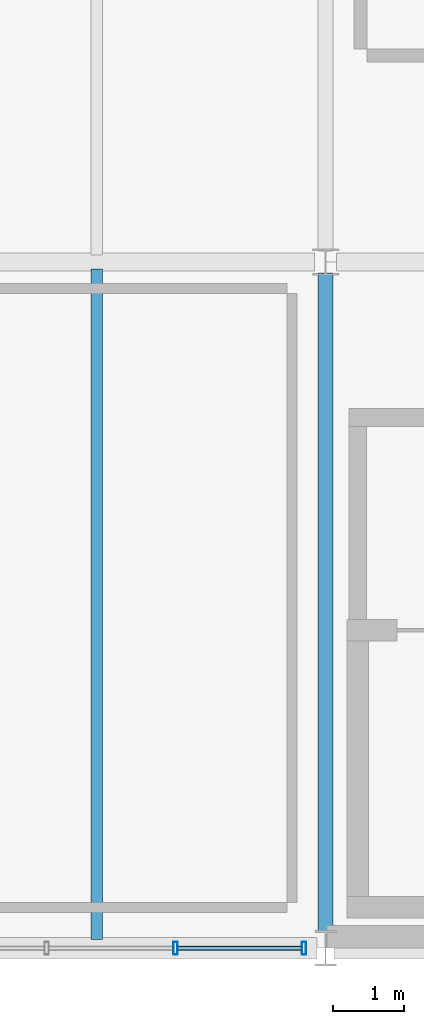
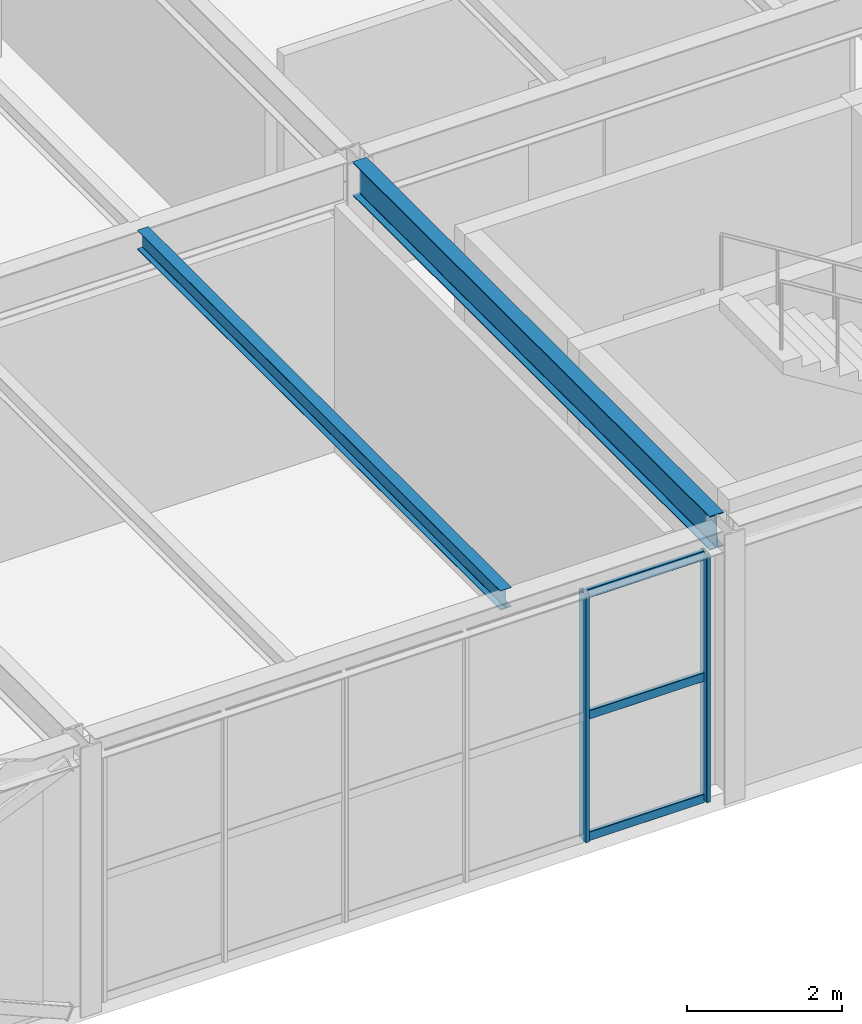
# One storey, part 20 of 170: 5 members, 2 beams, 1 element without a shape of its own.
"""IFC4 building model written with IfcOpenShell, lengths in metres."""

import ifcopenshell
import ifcopenshell.guid

model = None  # the IFC model being written
_history = None  # IfcOwnerHistory: only IFC2X3 demands one
_inside = {}  # id of a spatial element -> (the spatial element, [elements in it])
_under = {}  # id of a project, library or spatial element -> (it, [spatial elements below it])
_declared = {}  # id of a project -> (the project, [libraries it declares])
_typed = {}  # id of a type object -> (the type object, [elements of that type])
_made_of = {}  # id of a material, layer set ... -> (it, [elements and type objects made of it])


def new_model(schema):
    """Start an empty IFC model of exactly this schema.

    Asked for "IFC4X3", IfcOpenShell would pick the latest addendum, in which some entities
    have other attributes; the version numbers below select the first issue.
    IFC2X3 requires an IfcOwnerHistory on every rooted entity: one is made here for all.
    """
    global model, _history
    if schema == "IFC4X3":
        model = ifcopenshell.file(schema_version=(4, 3, 0, 0))
    else:
        model = ifcopenshell.file(schema=schema)
    _inside.clear()
    _under.clear()
    _declared.clear()
    _typed.clear()
    _made_of.clear()
    _history = None
    if model.schema == "IFC2X3":
        org = make("IfcOrganization", Name="unknown")
        user = make(
            "IfcPersonAndOrganization",
            ThePerson=make("IfcPerson", FamilyName="unknown"),
            TheOrganization=org,
        )
        app = make(
            "IfcApplication",
            ApplicationDeveloper=org,
            Version="unknown",
            ApplicationFullName="unknown",
            ApplicationIdentifier="unknown",
        )
        _history = make(
            "IfcOwnerHistory",
            OwningUser=user,
            OwningApplication=app,
            ChangeAction="ADDED",
            CreationDate=0,
        )
    return model


def make(cls, **values):
    """One entity of the class cls with the attributes given. An attribute that is None is left unset."""
    return model.create_entity(
        cls, **{name: value for name, value in values.items() if value is not None}
    )


def rooted(cls, **values):
    """An entity with a GlobalId (a new one), such as an element, a storey or a relation."""
    return make(cls, GlobalId=ifcopenshell.guid.new(), OwnerHistory=_history, **values)


def si_unit(unit_type, name, prefix=None):
    """IfcSIUnit, for example si_unit("LENGTHUNIT", "METRE", prefix="MILLI")."""
    return make("IfcSIUnit", UnitType=unit_type, Prefix=prefix, Name=name)


def assignment(units):
    """IfcUnitAssignment: the units of a project."""
    return None if units is None else make("IfcUnitAssignment", Units=units)


def point(xyz):
    """IfcCartesianPoint."""
    return None if xyz is None else make("IfcCartesianPoint", Coordinates=xyz)


def direction(xyz):
    """IfcDirection."""
    return None if xyz is None else make("IfcDirection", DirectionRatios=xyz)


def frame(location, z_axis=None, x_axis=None):
    """IfcAxis2Placement3D, a coordinate frame: its origin and axes. An axis left out is left unset."""
    return make(
        "IfcAxis2Placement3D",
        Location=point(location),
        Axis=direction(z_axis),
        RefDirection=direction(x_axis),
    )


def frame_2d(location, x_axis=None):
    """IfcAxis2Placement2D, a coordinate frame in the plane: its origin and x axis."""
    return make(
        "IfcAxis2Placement2D", Location=point(location), RefDirection=direction(x_axis)
    )


def origin():
    """The frame at (0, 0, 0) with its axes left unset."""
    return frame((0.0, 0.0, 0.0))


def origin_2d():
    """The frame at (0, 0) in the plane with its x axis left unset."""
    return frame_2d((0.0, 0.0))


def place(relative_to, where):
    """IfcLocalPlacement: puts the frame where relative to a parent placement (None: the world)."""
    return make(
        "IfcLocalPlacement", PlacementRelTo=relative_to, RelativePlacement=where
    )


def context(
    kind, dimensions, precision=None, world=None, true_north=None, identifier=None
):
    """IfcGeometricRepresentationContext, for example the 3D "Model" context."""
    return make(
        "IfcGeometricRepresentationContext",
        ContextIdentifier=identifier,
        ContextType=kind,
        CoordinateSpaceDimension=dimensions,
        Precision=precision,
        WorldCoordinateSystem=world,
        TrueNorth=true_north,
    )


def subcontext(parent, identifier, kind, view, scale=None):
    """IfcGeometricRepresentationSubContext, for example "Body" below "Model"."""
    return make(
        "IfcGeometricRepresentationSubContext",
        ContextIdentifier=identifier,
        ContextType=kind,
        ParentContext=parent,
        TargetScale=scale,
        TargetView=view,
    )


def project(units=None, contexts=None):
    """IfcProject with its units and contexts."""
    return rooted(
        "IfcProject",
        Name="project",
        RepresentationContexts=contexts,
        UnitsInContext=assignment(units),
    )


def spatial(cls, under=None, at=None, **own):
    """A site, building, storey or space (cls), placed at a placement, below another one or the project."""
    s = rooted(cls, ObjectPlacement=at, **own)
    if under is not None:
        _under.setdefault(under.id(), (under, []))[1].append(s)
    return s


def profile(cls, at=None, kind="AREA", **sizes):
    """A parametric profile (cls). Its sizes go by their IFC names, for example OverallWidth=200.0."""
    return make(cls, ProfileType=kind, Position=at, **sizes)


def hollow_rectangle(**sizes):
    """IfcRectangleHollowProfileDef."""
    return profile("IfcRectangleHollowProfileDef", **sizes)


def i_section(**sizes):
    """IfcIShapeProfileDef."""
    return profile("IfcIShapeProfileDef", **sizes)


def extrude(swept, where, along, depth):
    """IfcExtrudedAreaSolid: the profile swept, set in the frame where, extruded along a direction by depth."""
    return make(
        "IfcExtrudedAreaSolid",
        SweptArea=swept,
        Position=where,
        ExtrudedDirection=direction(along),
        Depth=depth,
    )


def shape(context_of_items, identifier, shape_type, items):
    """IfcShapeRepresentation: the items that make up one representation, for example the "Body"."""
    return make(
        "IfcShapeRepresentation",
        ContextOfItems=context_of_items,
        RepresentationIdentifier=identifier,
        RepresentationType=shape_type,
        Items=items,
    )


def material(Name=None, Category=None):
    """IfcMaterial."""
    return make("IfcMaterial", Name=Name, Category=Category)


def material_profile(
    of_material, cross_section, Name=None, Category=None, Priority=None
):
    """IfcMaterialProfile: a cross section and its material."""
    return make(
        "IfcMaterialProfile",
        Name=Name,
        Material=of_material,
        Profile=cross_section,
        Priority=Priority,
        Category=Category,
    )


def profile_set(profiles, Name=None, composite=None):
    """IfcMaterialProfileSet."""
    return make(
        "IfcMaterialProfileSet",
        Name=Name,
        MaterialProfiles=profiles,
        CompositeProfile=composite,
    )


def made_of(thing, what):
    """Note that an element or type object is made of a material, layer set ...; save() writes the relation."""
    if what is not None:
        _made_of.setdefault(what.id(), (what, []))[1].append(thing)
    return thing


def type_object(cls, material=None, **own):
    """A type object (cls), such as IfcWallType, which elements share."""
    return made_of(rooted(cls, **own), material)


def element(
    cls,
    number,
    at=None,
    inside=None,
    cuts=None,
    type_object=None,
    material=None,
    context=None,
    identifier="Body",
    shape_type=None,
    held_by="IfcProductDefinitionShape",
    body=None,
    shapes=None,
    **own,
):
    """One element of the class cls, such as IfcWall. Its Tag is "e" and its number.

    at: its placement. inside: the storey or other place that contains it. cuts: it is an
    opening in that element (IfcRelVoidsElement). A single representation is given by context,
    identifier, shape_type and body (its items); several are given by shapes. held_by: the class
    of the entity that holds the representations. save() writes the other relations.
    """
    e = rooted(cls, Tag="e%d" % number, ObjectPlacement=at, **own)
    if body is not None:
        shapes = [shape(context, identifier, shape_type, body)]
    if shapes is not None:
        e.Representation = make(held_by, Representations=shapes)
    if inside is not None:
        _inside.setdefault(inside.id(), (inside, []))[1].append(e)
    if cuts is not None:
        rooted(
            "IfcRelVoidsElement", RelatingBuildingElement=cuts, RelatedOpeningElement=e
        )
    if type_object is not None:
        _typed.setdefault(type_object.id(), (type_object, []))[1].append(e)
    return made_of(e, material)


def aggregate(whole, parts):
    """IfcRelAggregates: a whole, such as a stair, and the parts it consists of."""
    return rooted("IfcRelAggregates", RelatingObject=whole, RelatedObjects=parts)


def save(model, path):
    """Write the relations noted so far, then the file.

    IfcRelAggregates (storeys below a building ...), IfcRelContainedInSpatialStructure (elements
    in a storey), IfcRelDefinesByType, IfcRelAssociatesMaterial and IfcRelDeclares: one each for
    every whole, place, type object, material and project.
    """
    for whole, parts in _under.values():
        aggregate(whole, parts)
    for where, things in _inside.values():
        rooted(
            "IfcRelContainedInSpatialStructure",
            RelatedElements=things,
            RelatingStructure=where,
        )
    for kind, things in _typed.values():
        rooted("IfcRelDefinesByType", RelatedObjects=things, RelatingType=kind)
    for what, things in _made_of.values():
        rooted("IfcRelAssociatesMaterial", RelatedObjects=things, RelatingMaterial=what)
    for by, libraries in _declared.values():
        rooted("IfcRelDeclares", RelatingContext=by, RelatedDefinitions=libraries)
    model.write(path)


model = new_model("IFC4")

# Units and contexts
model_context = context("Model", 3, precision=1e-05, world=origin(), true_north=direction((0.0, 1.0)))
body_context = subcontext(model_context, "Body", "Model", "MODEL_VIEW")
ifc_project = project(units=[si_unit("LENGTHUNIT", "METRE"), si_unit("AREAUNIT", "SQUARE_METRE"), si_unit("VOLUMEUNIT", "CUBIC_METRE"), si_unit("PLANEANGLEUNIT", "RADIAN"), si_unit("MASSUNIT", "GRAM", prefix="KILO")], contexts=[model_context])

# Site, building, storey
site_placement = place(None, origin())
site = spatial("IfcSite", under=ifc_project, at=site_placement, CompositionType="ELEMENT")
building_placement = place(site_placement, origin())
building = spatial("IfcBuilding", under=site, at=building_placement, Name="Coralgate Yard Interchange", CompositionType="ELEMENT")
storey_placement = place(building_placement, frame((0.0, 0.0, 6.0)))
storey = spatial("IfcBuildingStorey", under=building, at=storey_placement, Name="L01", CompositionType="ELEMENT", Elevation=6.0)

# Beams
ifc_material_1 = material(Name="Structural steel S355J2", Category="steel")
ifc_material_profile_1 = material_profile(ifc_material_1, i_section(OverallWidth=0.209228515625, OverallDepth=0.533203125, WebThickness=0.010009765625, FlangeThickness=0.015625, FilletRadius=0.0126953125, at=origin_2d()), Name="UB 533x210x92")
ifc_profile_set_1 = profile_set([ifc_material_profile_1], Name="Structural steel S355J2")
beam_type_1 = type_object("IfcBeamType", Name="BM-SB-1", PredefinedType="BEAM", material=ifc_profile_set_1)
beam_1_placement = place(storey_placement, frame((19.199951171875, 0.219970703125, 3.9833984375), z_axis=(0.0, 1.0, 0.0), x_axis=(-1.0, 0.0, 0.0)))
element("IfcBeam", 1, at=beam_1_placement, inside=storey, type_object=beam_type_1, Name="L01 primary grid girder X2 Y0-1", PredefinedType="BEAM", context=body_context, shape_type="SweptSolid", body=[
    extrude(i_section(OverallWidth=0.209228515625, OverallDepth=0.533203125, WebThickness=0.010009765625, FlangeThickness=0.015625, FilletRadius=0.0126953125, at=origin_2d()), origin(), (0.0, 0.0, 1.0), 9.225830078125),
])
ifc_material_profile_2 = material_profile(ifc_material_1, i_section(OverallWidth=0.1650390625, OverallDepth=0.303466796875, WebThickness=0.006103515625, FlangeThickness=0.01025390625, FilletRadius=0.0087890625, at=origin_2d()), Name="UB 305x165x40")
ifc_profile_set_2 = profile_set([ifc_material_profile_2], Name="Structural steel S355J2")
beam_type_2 = type_object("IfcBeamType", Name="BM-SJ-1", PredefinedType="JOIST", material=ifc_profile_set_2)
beam_2_placement = place(storey_placement, frame((16.0, 0.1201171875, 4.098388671875), z_axis=(0.0, 1.0, 0.0), x_axis=(-1.0, 0.0, 0.0)))
element("IfcBeam", 2, at=beam_2_placement, inside=storey, type_object=beam_type_2, Name="L01 composite floor joist 1-0-2", PredefinedType="JOIST", context=body_context, shape_type="SweptSolid", body=[
    extrude(i_section(OverallWidth=0.1650390625, OverallDepth=0.303466796875, WebThickness=0.006103515625, FlangeThickness=0.01025390625, FilletRadius=0.0087890625, at=origin_2d()), origin(), (0.0, 0.0, 1.0), 9.383056640625),
])

# Curtain wall, members
ifc_material_2 = material(Name="Anodised coastal aluminium and solar-control low-E glass", Category="aluminium")
curtain_wall_type = type_object("IfcCurtainWallType", Name="CW-CW-L01-A", PredefinedType="NOTDEFINED", material=ifc_material_2)
curtain_wall_placement = place(storey_placement, origin())
curtain_wall = element("IfcCurtainWall", 3, at=curtain_wall_placement, inside=storey, type_object=curtain_wall_type, Name="L01 unitised curtain wall CW-L01-S-01-00", PredefinedType="NOTDEFINED")
ifc_material_3 = material(Name="Anodised coastal aluminium 6063-T6", Category="aluminium")
ifc_material_profile_3 = material_profile(ifc_material_3, hollow_rectangle(XDim=0.06005859375, YDim=0.179931640625, WallThickness=0.00390625, InnerFilletRadius=0.00390625, OuterFilletRadius=0.008056640625, at=origin_2d()), Name="ALU 60x180x4")
ifc_profile_set_3 = profile_set([ifc_material_profile_3], Name="Anodised coastal aluminium 6063-T6")
member_type_1 = type_object("IfcMemberType", Name="MB-MUL-180", PredefinedType="MULLION", material=ifc_profile_set_3)
member_1_placement = place(storey_placement, frame((18.89990234375, 0.0, 0.0), z_axis=(0.0, 0.0, 1.0), x_axis=(1.0, 0.0, 0.0)))
member_1 = element("IfcMember", 4, at=member_1_placement, type_object=member_type_1, Name="CW-L01-S-01-00 vertical mullion 1", PredefinedType="MULLION", context=body_context, shape_type="SweptSolid", body=[
    extrude(hollow_rectangle(XDim=0.06005859375, YDim=0.179931640625, WallThickness=0.00390625, InnerFilletRadius=0.00390625, OuterFilletRadius=0.008056640625, at=origin_2d()), origin(), (0.0, 0.0, 1.0), 3.89990234375),
])
member_2_placement = place(storey_placement, frame((17.10009765625, 0.0, 0.0), z_axis=(0.0, 0.0, 1.0), x_axis=(1.0, 0.0, 0.0)))
member_2 = element("IfcMember", 5, at=member_2_placement, type_object=member_type_1, Name="CW-L01-S-01-00 vertical mullion 2", PredefinedType="MULLION", context=body_context, shape_type="SweptSolid", body=[
    extrude(hollow_rectangle(XDim=0.06005859375, YDim=0.179931640625, WallThickness=0.00390625, InnerFilletRadius=0.00390625, OuterFilletRadius=0.008056640625, at=origin_2d()), origin(), (0.0, 0.0, 1.0), 3.89990234375),
])
ifc_material_profile_4 = material_profile(ifc_material_3, hollow_rectangle(XDim=0.06005859375, YDim=0.139892578125, WallThickness=0.00341796875, InnerFilletRadius=0.00341796875, OuterFilletRadius=0.007080078125, at=origin_2d()), Name="ALU 60x140x3.5")
ifc_profile_set_4 = profile_set([ifc_material_profile_4], Name="Anodised coastal aluminium 6063-T6")
member_type_2 = type_object("IfcMemberType", Name="MB-TRN-140", PredefinedType="USERDEFINED", material=ifc_profile_set_4)
member_3_placement = place(storey_placement, frame((18.8701171875, 0.0, 0.034912109375), z_axis=(-1.0, 0.0, 0.0), x_axis=(0.0, -1.0, 0.0)))
member_3 = element("IfcMember", 6, at=member_3_placement, type_object=member_type_2, Name="CW-L01-S-01-00 horizontal transom 1-1", ObjectType="TRANSOM", PredefinedType="USERDEFINED", context=body_context, shape_type="SweptSolid", body=[
    extrude(hollow_rectangle(XDim=0.06005859375, YDim=0.139892578125, WallThickness=0.00341796875, InnerFilletRadius=0.00341796875, OuterFilletRadius=0.007080078125, at=origin_2d()), origin(), (0.0, 0.0, 1.0), 1.740234375),
])
member_4_placement = place(storey_placement, frame((18.8701171875, 0.0, 1.949951171875), z_axis=(-1.0, 0.0, 0.0), x_axis=(0.0, -1.0, 0.0)))
member_4 = element("IfcMember", 7, at=member_4_placement, type_object=member_type_2, Name="CW-L01-S-01-00 horizontal transom 1-2", ObjectType="TRANSOM", PredefinedType="USERDEFINED", context=body_context, shape_type="SweptSolid", body=[
    extrude(hollow_rectangle(XDim=0.06005859375, YDim=0.139892578125, WallThickness=0.00341796875, InnerFilletRadius=0.00341796875, OuterFilletRadius=0.007080078125, at=origin_2d()), origin(), (0.0, 0.0, 1.0), 1.740234375),
])
member_5_placement = place(storey_placement, frame((18.8701171875, 0.0, 3.864990234375), z_axis=(-1.0, 0.0, 0.0), x_axis=(0.0, -1.0, 0.0)))
member_5 = element("IfcMember", 8, at=member_5_placement, type_object=member_type_2, Name="CW-L01-S-01-00 horizontal transom 1-3", ObjectType="TRANSOM", PredefinedType="USERDEFINED", context=body_context, shape_type="SweptSolid", body=[
    extrude(hollow_rectangle(XDim=0.06005859375, YDim=0.139892578125, WallThickness=0.00341796875, InnerFilletRadius=0.00341796875, OuterFilletRadius=0.007080078125, at=origin_2d()), origin(), (0.0, 0.0, 1.0), 1.740234375),
])
aggregate(curtain_wall, [member_1, member_2, member_3, member_4, member_5])

save(model, "model.ifc")
